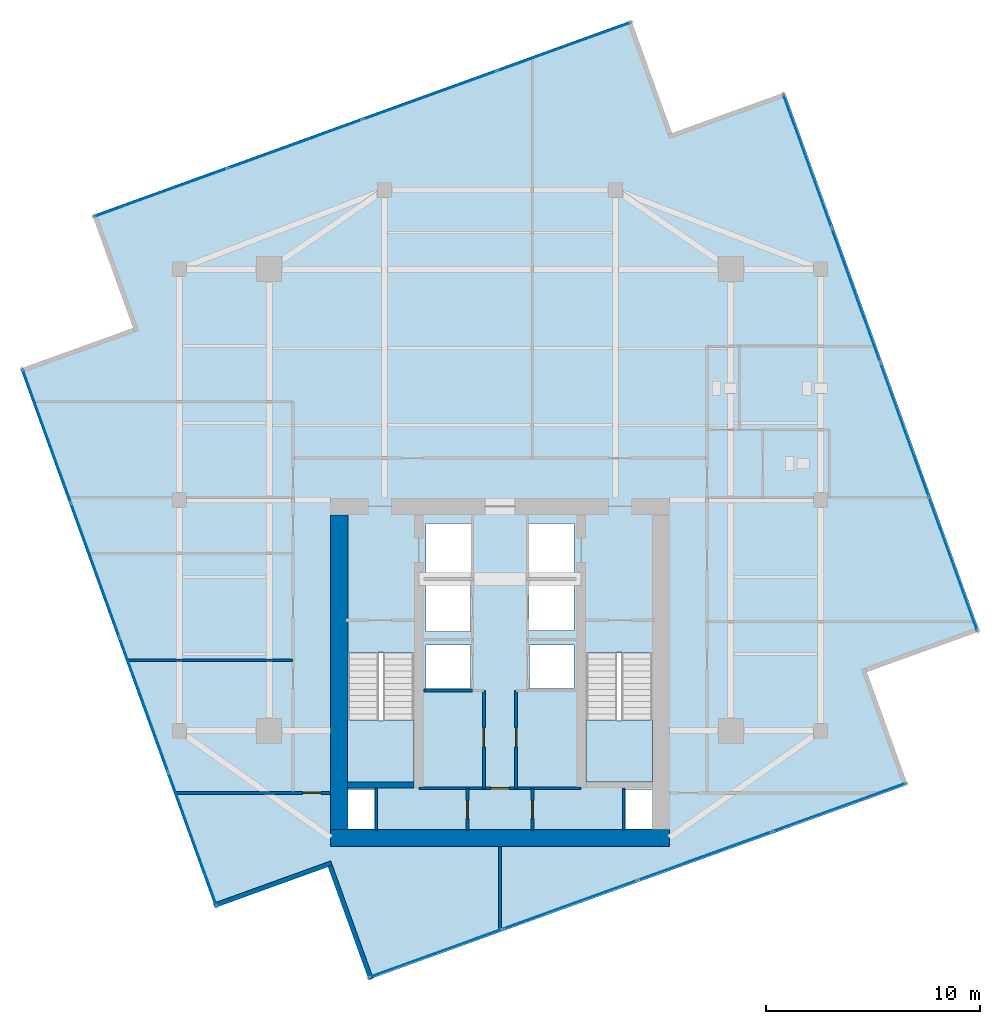
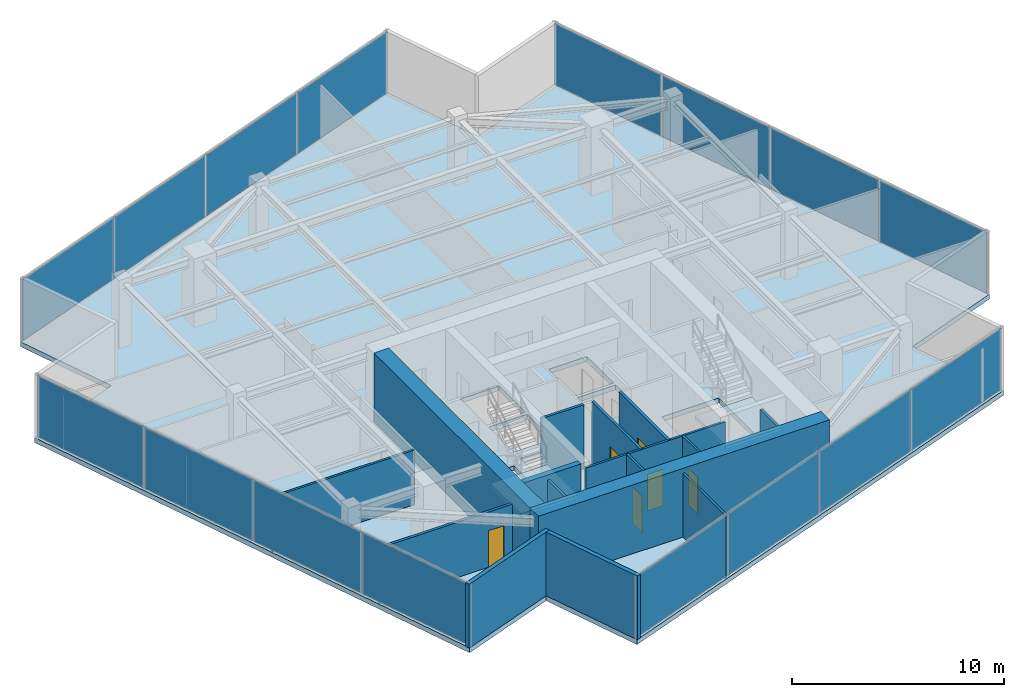
# One storey, part 17 of 21: 16 plates, 16 walls, 6 doors, 3 slabs, 6 openings, 6 elements without a shape of their own.
"""IFC4 building model written with IfcOpenShell, lengths in metres."""

from ifc_helpers import new_model, si_unit, direction, frame, frame_2d, origin, origin_2d, place, context, subcontext, project, spatial, polyline, rectangle, outline, extrude, source, transform, mapped, material, layer, layer_set, type_object, type_shapes, element, fill, aggregate, save


model = new_model("IFC4")

# Units and contexts
model_context = context("Model", 3, precision=1e-05, world=origin(), true_north=direction((0.0, 1.0)))
body_context = subcontext(model_context, "Body", "Model", "MODEL_VIEW")
ifc_project = project(units=[si_unit("LENGTHUNIT", "METRE"), si_unit("AREAUNIT", "SQUARE_METRE"), si_unit("VOLUMEUNIT", "CUBIC_METRE"), si_unit("PLANEANGLEUNIT", "RADIAN"), si_unit("MASSUNIT", "GRAM", prefix="KILO")], contexts=[model_context])

# Site, building, storey
site_placement = place(None, origin())
site = spatial("IfcSite", under=ifc_project, at=site_placement, CompositionType="ELEMENT")
building_placement = place(site_placement, origin())
building = spatial("IfcBuilding", under=site, at=building_placement, Name="Krantzveldt Concourse Tower", CompositionType="ELEMENT")
storey_placement = place(building_placement, frame((0.0, 0.0, 331.64990234375)))
storey = spatial("IfcBuildingStorey", under=building, at=storey_placement, Name="L81", CompositionType="ELEMENT", Elevation=331.64990234375)

# Stair, slab
ifc_material_1 = material(Name="Precast concrete C40/50", Category="concrete")
stair_type = type_object("IfcStairType", Name="STR-CORE-DOGLEG", PredefinedType="HALF_TURN_STAIR", material=ifc_material_1)
stair_1_placement = place(storey_placement, origin())
stair_1 = element("IfcStair", 1, at=stair_1_placement, inside=storey, type_object=stair_type, Name="L81 Protected Escape Stair ST-1", PredefinedType="HALF_TURN_STAIR")
ifc_layer_1 = layer(ifc_material_1, 0.199951171875, Name="Precast concrete C40/50", Category="concrete")
ifc_layer_set_1 = layer_set([ifc_layer_1], Name="Precast concrete C40/50 (SL-LANDING-200)")
slab_type_1 = type_object("IfcSlabType", Name="SL-LANDING-200", PredefinedType="LANDING", material=ifc_layer_set_1)
slab_1_placement = place(storey_placement, frame((0.0, 0.0, 1.775146484375)))
slab_1 = element("IfcSlab", 2, at=slab_1_placement, type_object=slab_type_1, Name="ST-1 landing 1", PredefinedType="LANDING", context=body_context, shape_type="SweptSolid", body=[
    extrude(outline(polyline([(28.8798828125, 16.4150390625), (28.8798828125, 13.52001953125), (31.97998046875, 13.52001953125), (31.97998046875, 16.4150390625), (28.8798828125, 16.4150390625)])), origin(), (0.0, 0.0, 1.0), 0.199951171875),
])
aggregate(stair_1, [slab_1])

stair_2_placement = place(storey_placement, origin())
stair_2 = element("IfcStair", 3, at=stair_2_placement, inside=storey, type_object=stair_type, Name="L81 Protected Escape Stair ST-2", PredefinedType="HALF_TURN_STAIR")
slab_2_placement = place(storey_placement, frame((0.0, 0.0, 1.775146484375)))
slab_2 = element("IfcSlab", 4, at=slab_2_placement, type_object=slab_type_1, Name="ST-2 landing 1", PredefinedType="LANDING", context=body_context, shape_type="SweptSolid", body=[
    extrude(outline(polyline([(40.02001953125, 16.4150390625), (40.02001953125, 13.52001953125), (43.1201171875, 13.52001953125), (43.1201171875, 16.4150390625), (40.02001953125, 16.4150390625)])), origin(), (0.0, 0.0, 1.0), 0.199951171875),
])
aggregate(stair_2, [slab_2])

# Slab
ifc_material_2 = material(Name="Concrete C40/50", Category="concrete")
ifc_layer_2 = layer(ifc_material_2, 0.280029296875, Name="Concrete C40/50", Category="concrete")
ifc_layer_set_2 = layer_set([ifc_layer_2], Name="Concrete C40/50 (SL-SL-TWR280)")
slab_type_2 = type_object("IfcSlabType", Name="SL-SL-TWR280", PredefinedType="FLOOR", material=ifc_layer_set_2)
slab_3_placement = place(storey_placement, frame((0.0, 0.0, -0.27978515625)))
element("IfcSlab", 5, at=slab_3_placement, inside=storey, type_object=slab_type_2, Name="SL-L81-MAIN", PredefinedType="FLOOR", context=body_context, shape_type="SweptSolid", body=[
    extrude(outline(polyline([(44.046142578125, 43.857421875), (42.142333984375, 49.123779296875), (16.938720703125, 40.0126953125), (18.842529296875, 34.746337890625), (13.576171875, 32.842529296875), (22.687255859375, 7.638671875), (27.953857421875, 9.54248046875), (29.857666015625, 4.276123046875), (55.061279296875, 13.38720703125), (53.157470703125, 18.65380859375), (58.423828125, 20.5576171875), (49.312744140625, 45.76123046875), (44.046142578125, 43.857421875)]), holes=[polyline([(28.8798828125, 19.547607421875), (28.8798828125, 13.52001953125), (31.97998046875, 13.52001953125), (31.97998046875, 19.547607421875), (28.8798828125, 19.547607421875)]), polyline([(40.02001953125, 19.547607421875), (40.02001953125, 13.52001953125), (43.1201171875, 13.52001953125), (43.1201171875, 19.547607421875), (40.02001953125, 19.547607421875)]), polyline([(32.550048828125, 23.10009765625), (34.64990234375, 23.10009765625), (34.64990234375, 25.60009765625), (32.550048828125, 25.60009765625), (32.550048828125, 23.10009765625)]), polyline([(37.35009765625, 23.10009765625), (39.449951171875, 23.10009765625), (39.449951171875, 25.60009765625), (37.35009765625, 25.60009765625), (37.35009765625, 23.10009765625)]), polyline([(37.35009765625, 20.60009765625), (39.449951171875, 20.60009765625), (39.449951171875, 22.89990234375), (37.35009765625, 22.89990234375), (37.35009765625, 20.60009765625)]), polyline([(32.550048828125, 20.550048828125), (34.6201171875, 20.550048828125), (34.6201171875, 22.89990234375), (32.550048828125, 22.89990234375), (32.550048828125, 20.550048828125)]), polyline([(32.550048828125, 17.8798828125), (34.6201171875, 17.8798828125), (34.6201171875, 19.919921875), (32.550048828125, 19.919921875), (32.550048828125, 17.8798828125)]), polyline([(37.3798828125, 17.8798828125), (39.449951171875, 17.8798828125), (39.449951171875, 19.919921875), (37.3798828125, 19.919921875), (37.3798828125, 17.8798828125)]), polyline([(28.8798828125, 11.320068359375), (30.139892578125, 11.320068359375), (30.139892578125, 13.159912109375), (28.8798828125, 13.159912109375), (28.8798828125, 11.320068359375)]), polyline([(41.860107421875, 11.320068359375), (43.1201171875, 11.320068359375), (43.1201171875, 13.159912109375), (41.860107421875, 13.159912109375), (41.860107421875, 11.320068359375)])]), origin(), (0.0, 0.0, 1.0), 0.27978515625),
])

# Curtain wall, plates
ifc_material_3 = material(Name="Anodised aluminium 6063-T6", Category="aluminium")
curtain_wall_type = type_object("IfcCurtainWallType", Name="CW4", PredefinedType="USERDEFINED", material=ifc_material_3)
curtain_wall_1_placement = place(storey_placement, origin())
curtain_wall_1 = element("IfcCurtainWall", 6, at=curtain_wall_1_placement, inside=storey, type_object=curtain_wall_type, Name="CW-L81-F01", ObjectType="UNITISED CURTAIN WALL", PredefinedType="USERDEFINED")
ifc_material_4 = material(Name="Bronze-tinted laminated low-E IGU glass", Category="glass")
ifc_layer_3 = layer(ifc_material_4, 0.031982421875, Name="Bronze-tinted laminated low-E IGU glass", Category="glass")
ifc_layer_set_3 = layer_set([ifc_layer_3], Name="Bronze-tinted laminated low-E IGU glass (CW-GLZ-32)")
plate_type = type_object("IfcPlateType", Name="CW-GLZ-32", PredefinedType="CURTAIN_PANEL", material=ifc_layer_set_3)
shared_shape_1 = source(origin(), body_context, "Body", "SweptSolid", [
    extrude(rectangle(XDim=6.594970703125, YDim=0.031982421875, at=origin_2d()), origin(), (0.0, 0.0, 1.0), 3.530029296875),
])
plate_1_placement = place(storey_placement, frame((39.006103515625, 47.894287109375, 0.0703125), z_axis=(0.0, 0.0, 1.0), x_axis=(-0.940436624478, -0.339969050563, 0.0)))
plate_1 = element("IfcPlate", 7, at=plate_1_placement, type_object=plate_type, Name="CW-Z56 panel 1.1", PredefinedType="CURTAIN_PANEL", context=body_context, shape_type="MappedRepresentation", body=[
    mapped(shared_shape_1, transform((0.0, 0.0, 0.0), x_axis=(1.0, 0.0, 0.0), y_axis=(0.0, 1.0, 0.0), z_axis=(0.0, 0.0, 1.0), scale=1.0)),
])
plate_2_placement = place(storey_placement, frame((20.13623046875, 41.072998046875, 0.0703125), z_axis=(0.0, 0.0, 1.0), x_axis=(-0.940436624478, -0.339969050563, 0.0)))
plate_2 = element("IfcPlate", 8, at=plate_2_placement, type_object=plate_type, Name="CW-Z56 panel 4.1", PredefinedType="CURTAIN_PANEL", context=body_context, shape_type="MappedRepresentation", body=[
    mapped(shared_shape_1, transform((0.0, 0.0, 0.0), x_axis=(1.0, 0.0, 0.0), y_axis=(0.0, 1.0, 0.0), z_axis=(0.0, 0.0, 1.0), scale=1.0)),
])

curtain_wall_2_placement = place(storey_placement, origin())
curtain_wall_2 = element("IfcCurtainWall", 9, at=curtain_wall_2_placement, inside=storey, type_object=curtain_wall_type, Name="CW-L81-F04", ObjectType="UNITISED CURTAIN WALL", PredefinedType="USERDEFINED")
plate_3_placement = place(storey_placement, frame((14.8056640625, 29.7060546875, 0.0703125), z_axis=(0.0, 0.0, 1.0), x_axis=(0.339969050563, -0.940436624478, 0.0)))
plate_3 = element("IfcPlate", 10, at=plate_3_placement, type_object=plate_type, Name="CW-Z56 panel 1.1", PredefinedType="CURTAIN_PANEL", context=body_context, shape_type="MappedRepresentation", body=[
    mapped(shared_shape_1, transform((0.0, 0.0, 0.0), x_axis=(1.0, 0.0, 0.0), y_axis=(0.0, 1.0, 0.0), z_axis=(0.0, 0.0, 1.0), scale=1.0)),
])
plate_4_placement = place(storey_placement, frame((21.627197265625, 10.836181640625, 0.0703125), z_axis=(0.0, 0.0, 1.0), x_axis=(0.339969050563, -0.940436624478, 0.0)))
plate_4 = element("IfcPlate", 11, at=plate_4_placement, type_object=plate_type, Name="CW-Z56 panel 4.1", PredefinedType="CURTAIN_PANEL", context=body_context, shape_type="MappedRepresentation", body=[
    mapped(shared_shape_1, transform((0.0, 0.0, 0.0), x_axis=(1.0, 0.0, 0.0), y_axis=(0.0, 1.0, 0.0), z_axis=(0.0, 0.0, 1.0), scale=1.0)),
])

curtain_wall_3_placement = place(storey_placement, origin())
curtain_wall_3 = element("IfcCurtainWall", 12, at=curtain_wall_3_placement, inside=storey, type_object=curtain_wall_type, Name="CW-L81-F07", ObjectType="UNITISED CURTAIN WALL", PredefinedType="USERDEFINED")
plate_5_placement = place(storey_placement, frame((32.993896484375, 5.505615234375, 0.0703125), z_axis=(0.0, 0.0, 1.0), x_axis=(0.940436624478, 0.339969050563, 0.0)))
plate_5 = element("IfcPlate", 13, at=plate_5_placement, type_object=plate_type, Name="CW-Z56 panel 1.1", PredefinedType="CURTAIN_PANEL", context=body_context, shape_type="MappedRepresentation", body=[
    mapped(shared_shape_1, transform((0.0, 0.0, 0.0), x_axis=(1.0, 0.0, 0.0), y_axis=(0.0, 1.0, 0.0), z_axis=(0.0, 0.0, 1.0), scale=1.0)),
])
plate_6_placement = place(storey_placement, frame((51.86376953125, 12.3271484375, 0.0703125), z_axis=(0.0, 0.0, 1.0), x_axis=(0.940436624478, 0.339969050563, 0.0)))
plate_6 = element("IfcPlate", 14, at=plate_6_placement, type_object=plate_type, Name="CW-Z56 panel 4.1", PredefinedType="CURTAIN_PANEL", context=body_context, shape_type="MappedRepresentation", body=[
    mapped(shared_shape_1, transform((0.0, 0.0, 0.0), x_axis=(1.0, 0.0, 0.0), y_axis=(0.0, 1.0, 0.0), z_axis=(0.0, 0.0, 1.0), scale=1.0)),
])

curtain_wall_4_placement = place(storey_placement, origin())
curtain_wall_4 = element("IfcCurtainWall", 15, at=curtain_wall_4_placement, inside=storey, type_object=curtain_wall_type, Name="CW-L81-F10", ObjectType="UNITISED CURTAIN WALL", PredefinedType="USERDEFINED")
plate_7_placement = place(storey_placement, frame((57.1943359375, 23.69384765625, 0.0703125), z_axis=(0.0, 0.0, 1.0), x_axis=(-0.339969050563, 0.940436624478, 0.0)))
plate_7 = element("IfcPlate", 16, at=plate_7_placement, type_object=plate_type, Name="CW-Z56 panel 1.1", PredefinedType="CURTAIN_PANEL", context=body_context, shape_type="MappedRepresentation", body=[
    mapped(shared_shape_1, transform((0.0, 0.0, 0.0), x_axis=(1.0, 0.0, 0.0), y_axis=(0.0, 1.0, 0.0), z_axis=(0.0, 0.0, 1.0), scale=1.0)),
])
plate_8_placement = place(storey_placement, frame((50.372802734375, 42.563720703125, 0.0703125), z_axis=(0.0, 0.0, 1.0), x_axis=(-0.339969050563, 0.940436624478, 0.0)))
plate_8 = element("IfcPlate", 17, at=plate_8_placement, type_object=plate_type, Name="CW-Z56 panel 4.1", PredefinedType="CURTAIN_PANEL", context=body_context, shape_type="MappedRepresentation", body=[
    mapped(shared_shape_1, transform((0.0, 0.0, 0.0), x_axis=(1.0, 0.0, 0.0), y_axis=(0.0, 1.0, 0.0), z_axis=(0.0, 0.0, 1.0), scale=1.0)),
])

# Plate
shared_shape_2 = source(origin(), body_context, "Body", "SweptSolid", [
    extrude(rectangle(XDim=6.6298828125, YDim=0.031982421875, at=origin_2d()), origin(), (0.0, 0.0, 1.0), 3.530029296875),
])
type_shapes(plate_type, [shared_shape_1, shared_shape_2])
plate_9_placement = place(storey_placement, frame((32.7216796875, 45.62255859375, 0.0703125), z_axis=(0.0, 0.0, 1.0), x_axis=(-0.940436624478, -0.339969050563, 0.0)))
plate_9 = element("IfcPlate", 18, at=plate_9_placement, type_object=plate_type, Name="CW-Z56 panel 2.1", PredefinedType="CURTAIN_PANEL", context=body_context, shape_type="MappedRepresentation", body=[
    mapped(shared_shape_2, transform((0.0, 0.0, 0.0), x_axis=(1.0, 0.0, 0.0), y_axis=(0.0, 1.0, 0.0), z_axis=(0.0, 0.0, 1.0), scale=1.0)),
])

plate_10_placement = place(storey_placement, frame((26.420654296875, 43.3447265625, 0.0703125), z_axis=(0.0, 0.0, 1.0), x_axis=(-0.940436624478, -0.339969050563, 0.0)))
plate_10 = element("IfcPlate", 19, at=plate_10_placement, type_object=plate_type, Name="CW-Z56 panel 3.1", PredefinedType="CURTAIN_PANEL", context=body_context, shape_type="MappedRepresentation", body=[
    mapped(shared_shape_2, transform((0.0, 0.0, 0.0), x_axis=(1.0, 0.0, 0.0), y_axis=(0.0, 1.0, 0.0), z_axis=(0.0, 0.0, 1.0), scale=1.0)),
])

aggregate(curtain_wall_1, [plate_1, plate_9, plate_10, plate_2])

plate_11_placement = place(storey_placement, frame((17.077392578125, 23.421630859375, 0.0703125), z_axis=(0.0, 0.0, 1.0), x_axis=(0.339969050563, -0.940436624478, 0.0)))
plate_11 = element("IfcPlate", 20, at=plate_11_placement, type_object=plate_type, Name="CW-Z56 panel 2.1", PredefinedType="CURTAIN_PANEL", context=body_context, shape_type="MappedRepresentation", body=[
    mapped(shared_shape_2, transform((0.0, 0.0, 0.0), x_axis=(1.0, 0.0, 0.0), y_axis=(0.0, 1.0, 0.0), z_axis=(0.0, 0.0, 1.0), scale=1.0)),
])

plate_12_placement = place(storey_placement, frame((19.355224609375, 17.12060546875, 0.0703125), z_axis=(0.0, 0.0, 1.0), x_axis=(0.339969050563, -0.940436624478, 0.0)))
plate_12 = element("IfcPlate", 21, at=plate_12_placement, type_object=plate_type, Name="CW-Z56 panel 3.1", PredefinedType="CURTAIN_PANEL", context=body_context, shape_type="MappedRepresentation", body=[
    mapped(shared_shape_2, transform((0.0, 0.0, 0.0), x_axis=(1.0, 0.0, 0.0), y_axis=(0.0, 1.0, 0.0), z_axis=(0.0, 0.0, 1.0), scale=1.0)),
])

aggregate(curtain_wall_2, [plate_3, plate_11, plate_12, plate_4])

plate_13_placement = place(storey_placement, frame((39.2783203125, 7.77734375, 0.0703125), z_axis=(0.0, 0.0, 1.0), x_axis=(0.940436624478, 0.339969050563, 0.0)))
plate_13 = element("IfcPlate", 22, at=plate_13_placement, type_object=plate_type, Name="CW-Z56 panel 2.1", PredefinedType="CURTAIN_PANEL", context=body_context, shape_type="MappedRepresentation", body=[
    mapped(shared_shape_2, transform((0.0, 0.0, 0.0), x_axis=(1.0, 0.0, 0.0), y_axis=(0.0, 1.0, 0.0), z_axis=(0.0, 0.0, 1.0), scale=1.0)),
])

plate_14_placement = place(storey_placement, frame((45.579345703125, 10.05517578125, 0.0703125), z_axis=(0.0, 0.0, 1.0), x_axis=(0.940436624478, 0.339969050563, 0.0)))
plate_14 = element("IfcPlate", 23, at=plate_14_placement, type_object=plate_type, Name="CW-Z56 panel 3.1", PredefinedType="CURTAIN_PANEL", context=body_context, shape_type="MappedRepresentation", body=[
    mapped(shared_shape_2, transform((0.0, 0.0, 0.0), x_axis=(1.0, 0.0, 0.0), y_axis=(0.0, 1.0, 0.0), z_axis=(0.0, 0.0, 1.0), scale=1.0)),
])

aggregate(curtain_wall_3, [plate_5, plate_13, plate_14, plate_6])

plate_15_placement = place(storey_placement, frame((54.922607421875, 29.978271484375, 0.0703125), z_axis=(0.0, 0.0, 1.0), x_axis=(-0.339969050563, 0.940436624478, 0.0)))
plate_15 = element("IfcPlate", 24, at=plate_15_placement, type_object=plate_type, Name="CW-Z56 panel 2.1", PredefinedType="CURTAIN_PANEL", context=body_context, shape_type="MappedRepresentation", body=[
    mapped(shared_shape_2, transform((0.0, 0.0, 0.0), x_axis=(1.0, 0.0, 0.0), y_axis=(0.0, 1.0, 0.0), z_axis=(0.0, 0.0, 1.0), scale=1.0)),
])

plate_16_placement = place(storey_placement, frame((52.644775390625, 36.279296875, 0.0703125), z_axis=(0.0, 0.0, 1.0), x_axis=(-0.339969050563, 0.940436624478, 0.0)))
plate_16 = element("IfcPlate", 25, at=plate_16_placement, type_object=plate_type, Name="CW-Z56 panel 3.1", PredefinedType="CURTAIN_PANEL", context=body_context, shape_type="MappedRepresentation", body=[
    mapped(shared_shape_2, transform((0.0, 0.0, 0.0), x_axis=(1.0, 0.0, 0.0), y_axis=(0.0, 1.0, 0.0), z_axis=(0.0, 0.0, 1.0), scale=1.0)),
])

aggregate(curtain_wall_4, [plate_7, plate_15, plate_16, plate_8])

# Walls
ifc_layer_4 = layer(ifc_material_3, 0.219970703125, Name="Anodised aluminium 6063-T6", Category="aluminium")
ifc_layer_set_4 = layer_set([ifc_layer_4], Name="Anodised aluminium 6063-T6 (WL-EXT-NOTCH220)")
wall_type_1 = type_object("IfcWallType", Name="WL-EXT-NOTCH220", PredefinedType="ELEMENTEDWALL", material=ifc_layer_set_4)
wall_1_placement = place(storey_placement, frame((22.62646484375, 7.733642578125, 0.0), z_axis=(0.0, 0.0, 1.0), x_axis=(0.940439315222, 0.339961607222, 0.0)))
element("IfcWall", 26, at=wall_1_placement, inside=storey, type_object=wall_type_1, Name="EW-L81-NCH05", PredefinedType="ELEMENTEDWALL", context=body_context, shape_type="SweptSolid", body=[
    extrude(rectangle(XDim=5.844970703125, YDim=0.219970703125, at=frame_2d((2.92236328125, 0.0))), origin(), (0.0, 0.0, 1.0), 3.670166015625),
])
wall_2_placement = place(storey_placement, frame((28.05712890625, 9.580078125, 0.0), z_axis=(0.0, 0.0, 1.0), x_axis=(0.339968670636, -0.940436761822, 0.0)))
element("IfcWall", 27, at=wall_2_placement, inside=storey, type_object=wall_type_1, Name="EW-L81-NCH06", PredefinedType="ELEMENTEDWALL", context=body_context, shape_type="SweptSolid", body=[
    extrude(rectangle(XDim=5.625, YDim=0.219970703125, at=frame_2d((2.8125, 0.0))), origin(), (0.0, 0.0, 1.0), 3.670166015625),
])

# Wall, opening, door
ifc_material_5 = material(Name="Fire-rated gypsum plasterboard on steel stud", Category="steel")
ifc_layer_5 = layer(ifc_material_5, 0.1201171875, Name="Fire-rated gypsum plasterboard on steel stud", Category="steel")
ifc_layer_set_5 = layer_set([ifc_layer_5], Name="Fire-rated gypsum plasterboard on steel stud (WL-PART-120)")
wall_type_2 = type_object("IfcWallType", Name="WL-PART-120", PredefinedType="PARTITIONING", material=ifc_layer_set_5)
wall_3_placement = place(storey_placement, frame((32.2099609375, 13.219970703125, 0.0), z_axis=(0.0, 0.0, 1.0), x_axis=(1.0, 0.0, 0.0)))
wall_3 = element("IfcWall", 28, at=wall_3_placement, inside=storey, type_object=wall_type_2, Name="WP-L81-CS2H", PredefinedType="PARTITIONING", context=body_context, shape_type="SweptSolid", body=[
    extrude(rectangle(XDim=7.580078125, YDim=0.1201171875, at=frame_2d((3.7900390625, 0.0))), origin(), (0.0, 0.0, 1.0), 3.670166015625),
])
opening_1_placement = place(wall_3_placement, frame((3.364990234375, 0.0, 0.0)))
opening_1 = element("IfcOpeningElement", 29, at=opening_1_placement, cuts=wall_3, Name="Opening D-IN085", PredefinedType="OPENING", context=body_context, shape_type="SweptSolid", body=[
    extrude(rectangle(XDim=0.85009765625, YDim=2.10009765625, at=frame_2d((0.425048828125, 1.050048828125))), frame((0.0, 0.070068359375, 0.0), z_axis=(0.0, -1.0, 0.0), x_axis=(1.0, 0.0, 0.0)), (0.0, 0.0, 1.0), 0.14013671875),
])
ifc_material_6 = material(Name="Hardwood timber", Category="wood")
door_type_1 = type_object("IfcDoorType", Name="DR-INT-850", OperationType="SINGLE_SWING_LEFT", PredefinedType="DOOR", material=ifc_material_6)
door_1_placement = place(opening_1_placement, origin())
door_1 = element("IfcDoor", 30, at=door_1_placement, inside=storey, type_object=door_type_1, Name="DR-L81-LLBS", OperationType="SINGLE_SWING_RIGHT", OverallHeight=2.10009765625, OverallWidth=0.85009765625, PredefinedType="DOOR", context=body_context, shape_type="SweptSolid", body=[
    extrude(rectangle(XDim=0.85009765625, YDim=2.10009765625, at=frame_2d((0.425048828125, 1.050048828125))), frame((0.0, 0.02490234375, 0.0), z_axis=(0.0, -1.0, 0.0), x_axis=(1.0, 0.0, 0.0)), (0.0, 0.0, 1.0), 0.050048828125),
])
fill(opening_1, door_1)

wall_4_placement = place(storey_placement, frame((34.47998046875, 11.25, 0.0), z_axis=(0.0, 0.0, 1.0), x_axis=(0.0, 1.0, 0.0)))
wall_4 = element("IfcWall", 31, at=wall_4_placement, inside=storey, type_object=wall_type_2, Name="WP-L81-CSB-VL", PredefinedType="PARTITIONING", context=body_context, shape_type="SweptSolid", body=[
    extrude(rectangle(XDim=1.969970703125, YDim=0.1201171875, at=frame_2d((0.98486328125, 0.0))), origin(), (0.0, 0.0, 1.0), 3.670166015625),
])
opening_2_placement = place(wall_4_placement, frame((0.544921875, 0.0, 0.0)))
opening_2 = element("IfcOpeningElement", 32, at=opening_2_placement, cuts=wall_4, Name="Opening D-IN085", PredefinedType="OPENING", context=body_context, shape_type="SweptSolid", body=[
    extrude(rectangle(XDim=0.85009765625, YDim=2.10009765625, at=frame_2d((0.425048828125, 1.050048828125))), frame((0.0, 0.070068359375, 0.0), z_axis=(0.0, -1.0, 0.0), x_axis=(1.0, 0.0, 0.0)), (0.0, 0.0, 1.0), 0.14013671875),
])
door_2_placement = place(opening_2_placement, origin())
door_2 = element("IfcDoor", 33, at=door_2_placement, inside=storey, type_object=door_type_1, Name="DR-L81-CSB1", OperationType="SINGLE_SWING_LEFT", OverallHeight=2.10009765625, OverallWidth=0.85009765625, PredefinedType="DOOR", context=body_context, shape_type="SweptSolid", body=[
    extrude(rectangle(XDim=0.85009765625, YDim=2.10009765625, at=frame_2d((0.425048828125, 1.050048828125))), frame((0.0, 0.02490234375, 0.0), z_axis=(0.0, -1.0, 0.0), x_axis=(1.0, 0.0, 0.0)), (0.0, 0.0, 1.0), 0.050048828125),
])
fill(opening_2, door_2)

wall_5_placement = place(storey_placement, frame((37.52001953125, 11.25, 0.0), z_axis=(0.0, 0.0, 1.0), x_axis=(0.0, 1.0, 0.0)))
wall_5 = element("IfcWall", 34, at=wall_5_placement, inside=storey, type_object=wall_type_2, Name="WP-L81-CSB-VR", PredefinedType="PARTITIONING", context=body_context, shape_type="SweptSolid", body=[
    extrude(rectangle(XDim=1.969970703125, YDim=0.1201171875, at=frame_2d((0.98486328125, 0.0))), origin(), (0.0, 0.0, 1.0), 3.670166015625),
])
opening_3_placement = place(wall_5_placement, frame((0.544921875, 0.0, 0.0)))
opening_3 = element("IfcOpeningElement", 35, at=opening_3_placement, cuts=wall_5, Name="Opening D-IN085", PredefinedType="OPENING", context=body_context, shape_type="SweptSolid", body=[
    extrude(rectangle(XDim=0.85009765625, YDim=2.10009765625, at=frame_2d((0.425048828125, 1.050048828125))), frame((0.0, 0.070068359375, 0.0), z_axis=(0.0, -1.0, 0.0), x_axis=(1.0, 0.0, 0.0)), (0.0, 0.0, 1.0), 0.14013671875),
])
door_3_placement = place(opening_3_placement, origin())
door_3 = element("IfcDoor", 36, at=door_3_placement, inside=storey, type_object=door_type_1, Name="DR-L81-CSB2", OperationType="SINGLE_SWING_RIGHT", OverallHeight=2.10009765625, OverallWidth=0.85009765625, PredefinedType="DOOR", context=body_context, shape_type="SweptSolid", body=[
    extrude(rectangle(XDim=0.85009765625, YDim=2.10009765625, at=frame_2d((0.425048828125, 1.050048828125))), frame((0.0, 0.02490234375, 0.0), z_axis=(0.0, -1.0, 0.0), x_axis=(1.0, 0.0, 0.0)), (0.0, 0.0, 1.0), 0.050048828125),
])
fill(opening_3, door_3)

# Walls
wall_6_placement = place(storey_placement, frame((18.603515625, 19.199951171875, 0.0), z_axis=(0.0, 0.0, 1.0), x_axis=(1.0, 0.0, 0.0)))
element("IfcWall", 37, at=wall_6_placement, inside=storey, type_object=wall_type_2, Name="WP-L81-WD1", PredefinedType="PARTITIONING", context=body_context, shape_type="SweptSolid", body=[
    extrude(rectangle(XDim=7.716552734375, YDim=0.1201171875, at=frame_2d((3.8583984375, 0.0))), origin(), (0.0, 0.0, 1.0), 3.130126953125),
])
wall_7_placement = place(storey_placement, frame((36.0, 6.59228515625, 0.0), z_axis=(0.0, 0.0, 1.0), x_axis=(0.0, 1.0, 0.0)))
element("IfcWall", 38, at=wall_7_placement, inside=storey, type_object=wall_type_2, Name="WP-L81-SSMD", PredefinedType="PARTITIONING", context=body_context, shape_type="SweptSolid", body=[
    extrude(rectangle(XDim=3.90771484375, YDim=0.1201171875, at=frame_2d((1.953857421875, 0.0))), origin(), (0.0, 0.0, 1.0), 3.670166015625),
])

# Wall, opening, door
ifc_layer_6 = layer(ifc_material_5, 0.139892578125, Name="Fire-rated gypsum plasterboard on steel stud", Category="steel")
ifc_layer_set_6 = layer_set([ifc_layer_6], Name="Fire-rated gypsum plasterboard on steel stud (WL-PART-140)")
wall_type_3 = type_object("IfcWallType", Name="WL-PART-140", PredefinedType="PARTITIONING", material=ifc_layer_set_6)
wall_8_placement = place(storey_placement, frame((20.844970703125, 13.0, 0.0), z_axis=(0.0, 0.0, 1.0), x_axis=(1.0, 0.0, 0.0)))
wall_8 = element("IfcWall", 39, at=wall_8_placement, inside=storey, type_object=wall_type_3, Name="WP-L81-CSBOTW", PredefinedType="PARTITIONING", context=body_context, shape_type="SweptSolid", body=[
    extrude(rectangle(XDim=7.235107421875, YDim=0.139892578125, at=frame_2d((3.61767578125, 0.0))), origin(), (0.0, 0.0, 1.0), 3.18017578125),
])
opening_4_placement = place(wall_8_placement, frame((5.93017578125, 0.0, 0.0)))
opening_4 = element("IfcOpeningElement", 40, at=opening_4_placement, cuts=wall_8, Name="Opening D-IN085", PredefinedType="OPENING", context=body_context, shape_type="SweptSolid", body=[
    extrude(rectangle(XDim=0.85009765625, YDim=2.10009765625, at=frame_2d((0.425048828125, 1.050048828125))), frame((0.0, 0.080078125, 0.0), z_axis=(0.0, -1.0, 0.0), x_axis=(1.0, 0.0, 0.0)), (0.0, 0.0, 1.0), 0.159912109375),
])
door_4_placement = place(opening_4_placement, origin())
door_4 = element("IfcDoor", 41, at=door_4_placement, inside=storey, type_object=door_type_1, Name="DR-L81-SR1", OperationType="SINGLE_SWING_LEFT", OverallHeight=2.10009765625, OverallWidth=0.85009765625, PredefinedType="DOOR", context=body_context, shape_type="SweptSolid", body=[
    extrude(rectangle(XDim=0.85009765625, YDim=2.10009765625, at=frame_2d((0.425048828125, 1.050048828125))), frame((0.0, 0.02490234375, 0.0), z_axis=(0.0, -1.0, 0.0), x_axis=(1.0, 0.0, 0.0)), (0.0, 0.0, 1.0), 0.050048828125),
])
fill(opening_4, door_4)

# Wall
ifc_layer_7 = layer(ifc_material_5, 0.139892578125, Name="Fire-rated gypsum plasterboard on steel stud", Category="steel")
ifc_layer_set_7 = layer_set([ifc_layer_7], Name="Fire-rated gypsum plasterboard on steel stud (WL-PART-FR140)")
wall_type_4 = type_object("IfcWallType", Name="WL-PART-FR140", PredefinedType="PARTITIONING", material=ifc_layer_set_7)
wall_9_placement = place(storey_placement, frame((32.449951171875, 17.780029296875, 0.0), z_axis=(0.0, 0.0, 1.0), x_axis=(1.0, 0.0, 0.0)))
element("IfcWall", 42, at=wall_9_placement, inside=storey, type_object=wall_type_4, Name="WP-L81-DIVW2", PredefinedType="PARTITIONING", context=body_context, shape_type="SweptSolid", body=[
    extrude(rectangle(XDim=2.27001953125, YDim=0.139892578125, at=frame_2d((1.135009765625, 0.0))), origin(), (0.0, 0.0, 1.0), 3.670166015625),
])

# Wall, opening, door
wall_10_placement = place(storey_placement, frame((35.25, 13.219970703125, 0.0), z_axis=(0.0, 0.0, 1.0), x_axis=(0.0, 1.0, 0.0)))
wall_10 = element("IfcWall", 43, at=wall_10_placement, inside=storey, type_object=wall_type_4, Name="WP-L81-RECW", PredefinedType="PARTITIONING", context=body_context, shape_type="SweptSolid", body=[
    extrude(rectangle(XDim=4.56005859375, YDim=0.139892578125, at=frame_2d((2.280029296875, 0.0))), origin(), (0.0, 0.0, 1.0), 3.670166015625),
])
opening_5_placement = place(wall_10_placement, frame((1.929931640625, 0.0, 0.0)))
opening_5 = element("IfcOpeningElement", 44, at=opening_5_placement, cuts=wall_10, Name="Opening D-FD090", PredefinedType="OPENING", context=body_context, shape_type="SweptSolid", body=[
    extrude(rectangle(XDim=0.89990234375, YDim=2.10009765625, at=frame_2d((0.449951171875, 1.050048828125))), frame((0.0, 0.080078125, 0.0), z_axis=(0.0, -1.0, 0.0), x_axis=(1.0, 0.0, 0.0)), (0.0, 0.0, 1.0), 0.159912109375),
])
door_type_2 = type_object("IfcDoorType", Name="DR-FD60-900", OperationType="SINGLE_SWING_LEFT", PredefinedType="DOOR", material=ifc_material_6)
door_5_placement = place(opening_5_placement, origin())
door_5 = element("IfcDoor", 45, at=door_5_placement, inside=storey, type_object=door_type_2, Name="DR-L81-RECW", OperationType="SINGLE_SWING_LEFT", OverallHeight=2.10009765625, OverallWidth=0.89990234375, PredefinedType="DOOR", context=body_context, shape_type="SweptSolid", body=[
    extrude(rectangle(XDim=0.89990234375, YDim=2.10009765625, at=frame_2d((0.449951171875, 1.050048828125))), frame((0.0, 0.02490234375, 0.0), z_axis=(0.0, -1.0, 0.0), x_axis=(1.0, 0.0, 0.0)), (0.0, 0.0, 1.0), 0.050048828125),
])
fill(opening_5, door_5)

wall_11_placement = place(storey_placement, frame((36.75, 13.219970703125, 0.0), z_axis=(0.0, 0.0, 1.0), x_axis=(0.0, 1.0, 0.0)))
wall_11 = element("IfcWall", 46, at=wall_11_placement, inside=storey, type_object=wall_type_4, Name="WP-L81-RECE", PredefinedType="PARTITIONING", context=body_context, shape_type="SweptSolid", body=[
    extrude(rectangle(XDim=4.56005859375, YDim=0.139892578125, at=frame_2d((2.280029296875, 0.0))), origin(), (0.0, 0.0, 1.0), 3.670166015625),
])
opening_6_placement = place(wall_11_placement, frame((1.929931640625, 0.0, 0.0)))
opening_6 = element("IfcOpeningElement", 47, at=opening_6_placement, cuts=wall_11, Name="Opening D-FD090", PredefinedType="OPENING", context=body_context, shape_type="SweptSolid", body=[
    extrude(rectangle(XDim=0.89990234375, YDim=2.10009765625, at=frame_2d((0.449951171875, 1.050048828125))), frame((0.0, 0.080078125, 0.0), z_axis=(0.0, -1.0, 0.0), x_axis=(1.0, 0.0, 0.0)), (0.0, 0.0, 1.0), 0.159912109375),
])
door_6_placement = place(opening_6_placement, origin())
door_6 = element("IfcDoor", 48, at=door_6_placement, inside=storey, type_object=door_type_2, Name="DR-L81-RECE", OperationType="SINGLE_SWING_RIGHT", OverallHeight=2.10009765625, OverallWidth=0.89990234375, PredefinedType="DOOR", context=body_context, shape_type="SweptSolid", body=[
    extrude(rectangle(XDim=0.89990234375, YDim=2.10009765625, at=frame_2d((0.449951171875, 1.050048828125))), frame((0.0, 0.02490234375, 0.0), z_axis=(0.0, -1.0, 0.0), x_axis=(1.0, 0.0, 0.0)), (0.0, 0.0, 1.0), 0.050048828125),
])
fill(opening_6, door_6)

# Walls
for number, where, z_axis, x_axis, name in (
    (49, (30.219970703125, 11.25, 0.0), (0.0, 0.0, 1.0), (0.0, 1.0, 0.0), "WP-L81-RSW"),
    (50, (41.780029296875, 11.25, 0.0), (0.0, 0.0, 1.0), (0.0, 1.0, 0.0), "WP-L81-RSE"),
):
    element("IfcWall", number, at=place(storey_placement, frame(where, z_axis=z_axis, x_axis=x_axis)), inside=storey, type_object=wall_type_4, Name=name, PredefinedType="PARTITIONING", context=body_context, shape_type="SweptSolid", body=[
        extrude(rectangle(XDim=1.969970703125, YDim=0.1201171875, at=frame_2d((0.98486328125, 0.0))), origin(), (0.0, 0.0, 1.0), 3.670166015625),
    ])
ifc_material_7 = material(Name="Concrete C50/60", Category="concrete")
ifc_layer_8 = layer(ifc_material_7, 0.300048828125, Name="Concrete C50/60", Category="concrete")
ifc_layer_set_8 = layer_set([ifc_layer_8], Name="Concrete C50/60 (WL-SHEAR-300)")
wall_type_5 = type_object("IfcWallType", Name="WL-SHEAR-300", PredefinedType="SHEAR", material=ifc_layer_set_8)
wall_12_placement = place(storey_placement, frame((28.8798828125, 13.3701171875, 0.0), z_axis=(0.0, 0.0, 1.0), x_axis=(1.0, 0.0, 0.0)))
element("IfcWall", 51, at=wall_12_placement, inside=storey, type_object=wall_type_5, Name="CW-L81-ST1S", PredefinedType="SHEAR", context=body_context, shape_type="SweptSolid", body=[
    extrude(rectangle(XDim=3.10009765625, YDim=0.300048828125, at=frame_2d((1.550048828125, 0.0))), origin(), (0.0, 0.0, 1.0), 3.9501953125),
])
ifc_material_8 = material(Name="Concrete C60/75", Category="concrete")
ifc_layer_9 = layer(ifc_material_8, 0.800048828125, Name="Concrete C60/75", Category="concrete")
ifc_layer_set_9 = layer_set([ifc_layer_9], Name="Concrete C60/75 (WL-SHEAR-800)")
wall_type_6 = type_object("IfcWallType", Name="WL-SHEAR-800", PredefinedType="SHEAR", material=ifc_layer_set_9)
wall_13_placement = place(storey_placement, frame((28.080078125, 10.89990234375, 0.0), z_axis=(0.0, 0.0, 1.0), x_axis=(1.0, 0.0, 0.0)))
element("IfcWall", 52, at=wall_13_placement, inside=storey, type_object=wall_type_6, Name="CW-L81-S", PredefinedType="SHEAR", context=body_context, shape_type="SweptSolid", body=[
    extrude(rectangle(XDim=15.83984375, YDim=0.800048828125, at=frame_2d((7.919921875, 0.0))), origin(), (0.0, 0.0, 1.0), 3.9501953125),
])
wall_14_placement = place(storey_placement, frame((28.47998046875, 11.300048828125, 0.0), z_axis=(0.0, 0.0, 1.0), x_axis=(0.0, 1.0, 0.0)))
element("IfcWall", 53, at=wall_14_placement, inside=storey, type_object=wall_type_6, Name="CW-L81-W", PredefinedType="SHEAR", context=body_context, shape_type="SweptSolid", body=[
    extrude(rectangle(XDim=14.699951171875, YDim=0.800048828125, at=frame_2d((7.35009765625, 0.0))), origin(), (0.0, 0.0, 1.0), 3.9501953125),
])

save(model, "model.ifc")
